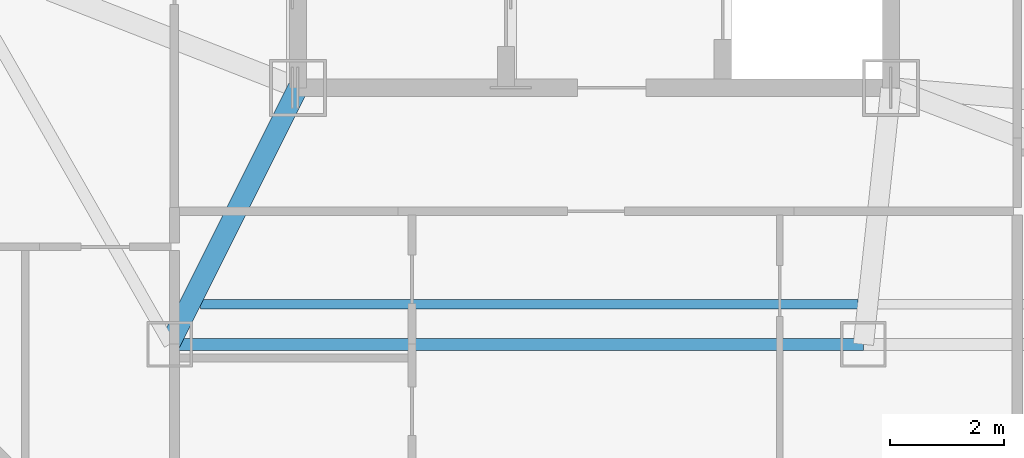
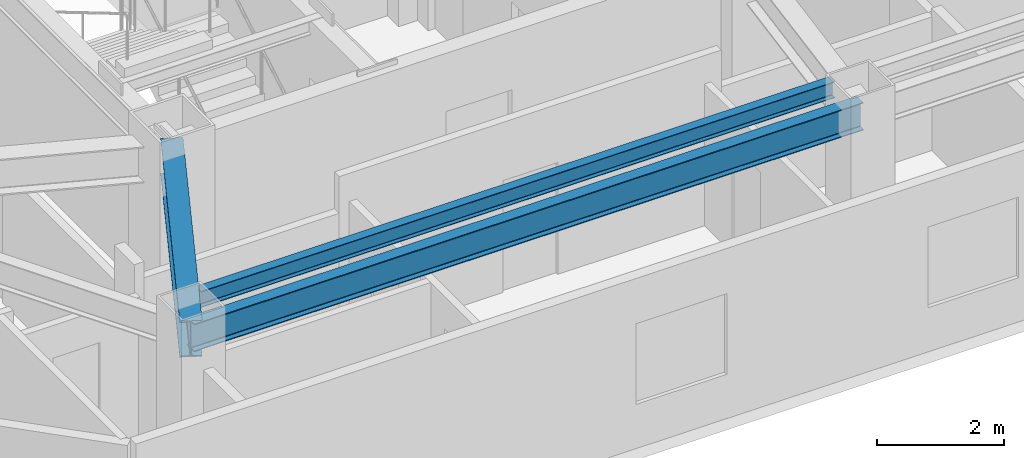
# One storey, part 3 of 14: 3 beams.
"""IFC4 building model written with IfcOpenShell, lengths in metres."""

from ifc_helpers import new_model, si_unit, direction, frame, origin, origin_2d, place, context, subcontext, project, spatial, i_section, extrude, material, material_profile, profile_set, type_object, element, save


model = new_model("IFC4")

# Units and contexts
model_context = context("Model", 3, precision=1e-05, world=origin(), true_north=direction((0.0, 1.0)))
body_context = subcontext(model_context, "Body", "Model", "MODEL_VIEW")
ifc_project = project(units=[si_unit("LENGTHUNIT", "METRE"), si_unit("AREAUNIT", "SQUARE_METRE"), si_unit("VOLUMEUNIT", "CUBIC_METRE"), si_unit("PLANEANGLEUNIT", "RADIAN"), si_unit("MASSUNIT", "GRAM", prefix="KILO")], contexts=[model_context])

# Site, building, storey
site_placement = place(None, origin())
site = spatial("IfcSite", under=ifc_project, at=site_placement, CompositionType="ELEMENT")
building_placement = place(site_placement, origin())
building = spatial("IfcBuilding", under=site, at=building_placement, Name="Khamvora Tower", CompositionType="ELEMENT")
storey_placement = place(building_placement, frame((0.0, 0.0, 261.0)))
storey = spatial("IfcBuildingStorey", under=building, at=storey_placement, Name="L67", CompositionType="ELEMENT", Elevation=261.0)

# Beams
ifc_material = material(Name="Steel S355", Category="steel")
ifc_material_profile_1 = material_profile(ifc_material, i_section(OverallWidth=0.166015625, OverallDepth=0.31298828125, WebThickness=0.007080078125, FlangeThickness=0.010986328125, FilletRadius=0.010009765625, at=origin_2d()), Name="W310x45")
ifc_profile_set_1 = profile_set([ifc_material_profile_1], Name="Steel S355")
beam_type_1 = type_object("IfcBeamType", Name="BM-JS-W310x45", PredefinedType="JOIST", material=ifc_profile_set_1)
beam_1_placement = place(storey_placement, frame((27.29296875, 15.199951171875, 3.113037109375), z_axis=(1.0, 0.0, 0.0), x_axis=(0.0, 1.0, 0.0)))
element("IfcBeam", 1, at=beam_1_placement, inside=storey, type_object=beam_type_1, Name="L67 secondary floor joist 01", PredefinedType="JOIST", context=body_context, shape_type="SweptSolid", body=[
    extrude(i_section(OverallWidth=0.166015625, OverallDepth=0.31298828125, WebThickness=0.007080078125, FlangeThickness=0.010986328125, FilletRadius=0.010009765625, at=origin_2d()), origin(), (0.0, 0.0, 1.0), 11.526123046875),
])
ifc_material_profile_2 = material_profile(ifc_material, i_section(OverallWidth=0.35498046875, OverallDepth=0.695068359375, WebThickness=0.014892578125, FlangeThickness=0.02490234375, FilletRadius=0.01611328125, at=origin_2d()), Name="W690x217")
ifc_profile_set_2 = profile_set([ifc_material_profile_2], Name="Steel S355")
beam_type_2 = type_object("IfcBeamType", Name="BM-PG-W690x217", PredefinedType="BEAM", material=ifc_profile_set_2)
beam_2_placement = place(storey_placement, frame((29.0, 19.0, 2.922119140625), z_axis=(-0.4472135955, -0.894427191, 0.0), x_axis=(0.894427191, -0.4472135955, 0.0)))
element("IfcBeam", 2, at=beam_2_placement, inside=storey, type_object=beam_type_2, Name="L67 primary floor girder S1", PredefinedType="BEAM", context=body_context, shape_type="SweptSolid", body=[
    extrude(i_section(OverallWidth=0.35498046875, OverallDepth=0.695068359375, WebThickness=0.014892578125, FlangeThickness=0.02490234375, FilletRadius=0.01611328125, at=origin_2d()), origin(), (0.0, 0.0, 1.0), 5.03125),
])
ifc_material_profile_3 = material_profile(ifc_material, i_section(OverallWidth=0.208984375, OverallDepth=0.532958984375, WebThickness=0.010009765625, FlangeThickness=0.01611328125, FilletRadius=0.013916015625, at=origin_2d()), Name="W530x92")
ifc_profile_set_3 = profile_set([ifc_material_profile_3], Name="Steel S355")
beam_type_3 = type_object("IfcBeamType", Name="BM-SP-W530x92", PredefinedType="SPANDREL", material=ifc_profile_set_3)
beam_3_placement = place(storey_placement, frame((26.75, 14.5, 3.0029296875), z_axis=(1.0, 0.0, 0.0), x_axis=(0.0, 1.0, 0.0)))
element("IfcBeam", 3, at=beam_3_placement, inside=storey, type_object=beam_type_3, Name="L67 perimeter spandrel beam S1-S2", PredefinedType="SPANDREL", context=body_context, shape_type="SweptSolid", body=[
    extrude(i_section(OverallWidth=0.208984375, OverallDepth=0.532958984375, WebThickness=0.010009765625, FlangeThickness=0.01611328125, FilletRadius=0.013916015625, at=origin_2d()), origin(), (0.0, 0.0, 1.0), 12.1669921875),
])

save(model, "model.ifc")
